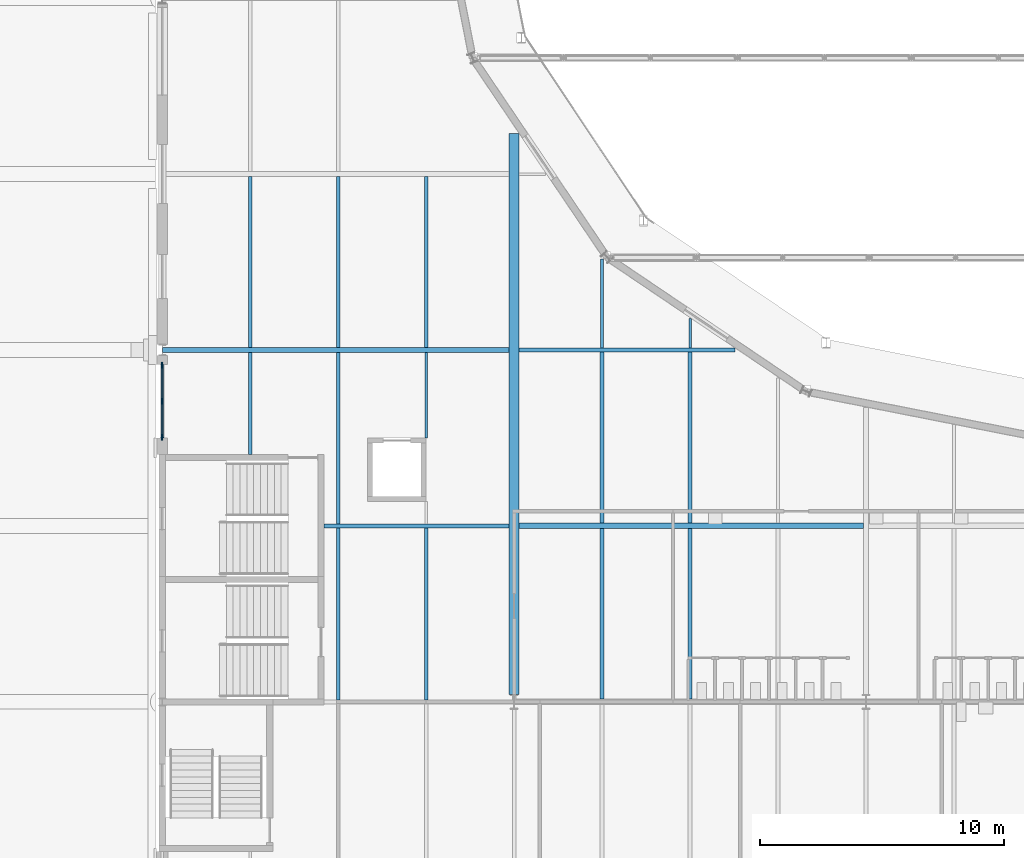
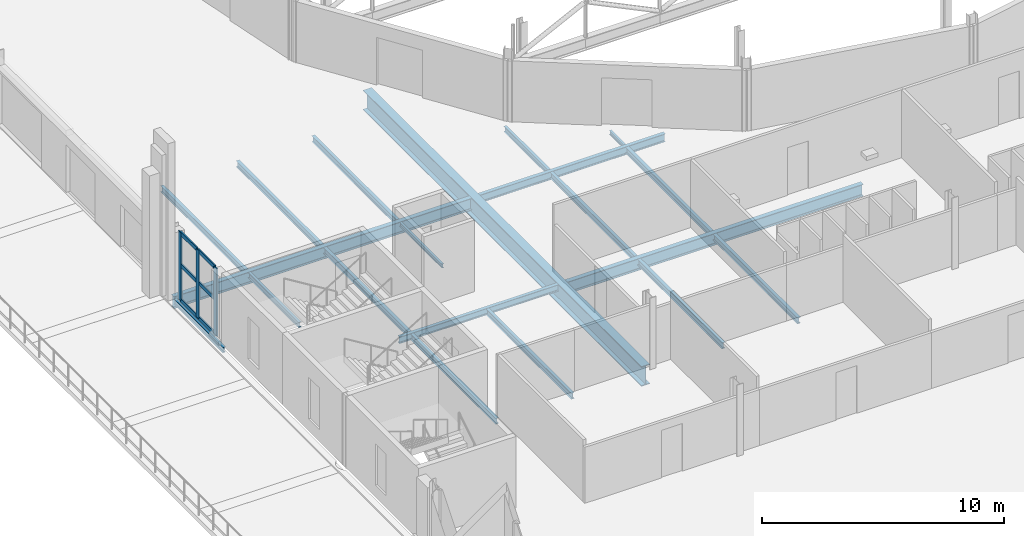
# One storey, part 33 of 143: 20 beams, 9 members, 1 element without a shape of its own.
"""IFC4 building model written with IfcOpenShell, lengths in metres."""

from ifc_helpers import new_model, si_unit, direction, frame, origin, origin_2d, place, context, subcontext, project, spatial, rectangle, i_section, extrude, material, material_profile, profile_set, type_object, element, aggregate, save


model = new_model("IFC4")

# Units and contexts
model_context = context("Model", 3, precision=1e-05, world=origin(), true_north=direction((0.0, 1.0)))
body_context = subcontext(model_context, "Body", "Model", "MODEL_VIEW")
ifc_project = project(units=[si_unit("LENGTHUNIT", "METRE"), si_unit("AREAUNIT", "SQUARE_METRE"), si_unit("VOLUMEUNIT", "CUBIC_METRE"), si_unit("PLANEANGLEUNIT", "RADIAN"), si_unit("MASSUNIT", "GRAM", prefix="KILO")], contexts=[model_context])

# Site, building, storey
site_placement = place(None, origin())
site = spatial("IfcSite", under=ifc_project, at=site_placement, CompositionType="ELEMENT")
building_placement = place(site_placement, origin())
building = spatial("IfcBuilding", under=site, at=building_placement, Name="Kupolbacken Congress Centre", CompositionType="ELEMENT")
storey_placement = place(building_placement, frame((0.0, 0.0, 7.199951171875)))
storey = spatial("IfcBuildingStorey", under=building, at=storey_placement, Name="L02", CompositionType="ELEMENT", Elevation=7.199951171875)

# Beams
ifc_material_1 = material(Name="Steel S355", Category="steel")
ifc_material_profile_1 = material_profile(ifc_material_1, i_section(OverallWidth=0.10009765625, OverallDepth=0.199951171875, WebThickness=0.005615234375, FlangeThickness=0.008544921875, FilletRadius=0.011962890625, at=origin_2d()), Name="IPE 200")
ifc_profile_set_1 = profile_set([ifc_material_profile_1], Name="Steel S355")
beam_type_1 = type_object("IfcBeamType", Name="B01 beam IPE 200", PredefinedType="BEAM", material=ifc_profile_set_1)
beam_1_placement = place(storey_placement, frame((28.800048828125, 64.889892578125, -0.280029296875), z_axis=(0.0, 1.0, 0.0), x_axis=(-1.0, 0.0, 0.0)))
element("IfcBeam", 1, at=beam_1_placement, inside=storey, type_object=beam_type_1, Name="S/floor/P/L02/S104", PredefinedType="BEAM", context=body_context, shape_type="SweptSolid", body=[
    extrude(i_section(OverallWidth=0.10009765625, OverallDepth=0.199951171875, WebThickness=0.005615234375, FlangeThickness=0.008544921875, FilletRadius=0.011962890625, at=origin_2d()), origin(), (0.0, 0.0, 1.0), 1.200927734375),
])
beam_2_placement = place(storey_placement, frame((18.0, 61.199951171875, -0.280029296875), z_axis=(0.0, 1.0, 0.0), x_axis=(-1.0, 0.0, 0.0)))
element("IfcBeam", 2, at=beam_2_placement, inside=storey, type_object=beam_type_1, Name="S/floor/P/L02/S163", PredefinedType="BEAM", context=body_context, shape_type="SweptSolid", body=[
    extrude(i_section(OverallWidth=0.10009765625, OverallDepth=0.199951171875, WebThickness=0.005615234375, FlangeThickness=0.008544921875, FilletRadius=0.011962890625, at=origin_2d()), origin(), (0.0, 0.0, 1.0), 3.489990234375),
])
ifc_material_2 = material(Name="Steel S355", Category="steel")
ifc_material_profile_2 = material_profile(ifc_material_2, i_section(OverallWidth=0.135009765625, OverallDepth=0.27001953125, WebThickness=0.006591796875, FlangeThickness=0.01025390625, FilletRadius=0.014892578125, at=origin_2d()), Name="IPE 270")
ifc_profile_set_2 = profile_set([ifc_material_profile_2], Name="Steel S355")
beam_type_2 = type_object("IfcBeamType", Name="B03 beam IPE 270", PredefinedType="BEAM", material=ifc_profile_set_2)
beam_3_placement = place(storey_placement, frame((7.199951171875, 60.52490234375, -0.31494140625), z_axis=(0.0, 1.0, 0.0), x_axis=(-1.0, 0.0, 0.0)))
element("IfcBeam", 3, at=beam_3_placement, inside=storey, type_object=beam_type_2, Name="S/floor/P/L02/G017", PredefinedType="BEAM", context=body_context, shape_type="SweptSolid", body=[
    extrude(i_section(OverallWidth=0.135009765625, OverallDepth=0.27001953125, WebThickness=0.006591796875, FlangeThickness=0.01025390625, FilletRadius=0.014892578125, at=origin_2d()), origin(), (0.0, 0.0, 1.0), 4.050048828125),
])
beam_4_placement = place(storey_placement, frame((10.800048828125, 60.52490234375, -0.31494140625), z_axis=(0.0, 1.0, 0.0), x_axis=(-1.0, 0.0, 0.0)))
element("IfcBeam", 4, at=beam_4_placement, inside=storey, type_object=beam_type_2, Name="S/floor/P/L02/S076", PredefinedType="BEAM", context=body_context, shape_type="SweptSolid", body=[
    extrude(i_section(OverallWidth=0.135009765625, OverallDepth=0.27001953125, WebThickness=0.006591796875, FlangeThickness=0.01025390625, FilletRadius=0.014892578125, at=origin_2d()), origin(), (0.0, 0.0, 1.0), 4.1650390625),
])
beam_5_placement = place(storey_placement, frame((25.199951171875, 64.889892578125, -0.31494140625), z_axis=(0.0, 1.0, 0.0), x_axis=(-1.0, 0.0, 0.0)))
element("IfcBeam", 5, at=beam_5_placement, inside=storey, type_object=beam_type_2, Name="S/floor/P/L02/S098", PredefinedType="BEAM", context=body_context, shape_type="SweptSolid", body=[
    extrude(i_section(OverallWidth=0.135009765625, OverallDepth=0.27001953125, WebThickness=0.006591796875, FlangeThickness=0.01025390625, FilletRadius=0.014892578125, at=origin_2d()), origin(), (0.0, 0.0, 1.0), 3.63818359375),
])
ifc_material_3 = material(Name="Steel S355", Category="steel")
ifc_material_profile_3 = material_profile(ifc_material_3, i_section(OverallWidth=0.14990234375, OverallDepth=0.300048828125, WebThickness=0.007080078125, FlangeThickness=0.0107421875, FilletRadius=0.014892578125, at=origin_2d()), Name="IPE 300")
ifc_profile_set_3 = profile_set([ifc_material_profile_3], Name="Steel S355")
beam_type_3 = type_object("IfcBeamType", Name="B04 beam IPE 300", PredefinedType="BEAM", material=ifc_profile_set_3)
beam_6_placement = place(storey_placement, frame((10.800048828125, 64.909912109375, -0.329833984375), z_axis=(0.0, 1.0, 0.0), x_axis=(-1.0, 0.0, 0.0)))
element("IfcBeam", 6, at=beam_6_placement, inside=storey, type_object=beam_type_3, Name="S/floor/P/L02/S077", PredefinedType="BEAM", context=body_context, shape_type="SweptSolid", body=[
    extrude(i_section(OverallWidth=0.14990234375, OverallDepth=0.300048828125, WebThickness=0.007080078125, FlangeThickness=0.0107421875, FilletRadius=0.014892578125, at=origin_2d()), origin(), (0.0, 0.0, 1.0), 6.97998046875),
])
beam_7_placement = place(storey_placement, frame((14.39990234375, 50.48095703125, -0.329833984375), z_axis=(0.0, 1.0, 0.0), x_axis=(-1.0, 0.0, 0.0)))
element("IfcBeam", 7, at=beam_7_placement, inside=storey, type_object=beam_type_3, Name="S/floor/P/L02/S085", PredefinedType="BEAM", context=body_context, shape_type="SweptSolid", body=[
    extrude(i_section(OverallWidth=0.14990234375, OverallDepth=0.300048828125, WebThickness=0.007080078125, FlangeThickness=0.0107421875, FilletRadius=0.014892578125, at=origin_2d()), origin(), (0.0, 0.0, 1.0), 7.0390625),
])
beam_8_placement = place(storey_placement, frame((14.39990234375, 57.679931640625, -0.329833984375), z_axis=(0.0, 1.0, 0.0), x_axis=(-1.0, 0.0, 0.0)))
element("IfcBeam", 8, at=beam_8_placement, inside=storey, type_object=beam_type_3, Name="S/floor/P/L02/S086", PredefinedType="BEAM", context=body_context, shape_type="SweptSolid", body=[
    extrude(i_section(OverallWidth=0.14990234375, OverallDepth=0.300048828125, WebThickness=0.007080078125, FlangeThickness=0.0107421875, FilletRadius=0.014892578125, at=origin_2d()), origin(), (0.0, 0.0, 1.0), 7.010009765625),
])
for number, where, z_axis, x_axis, name in (
    (9, (14.39990234375, 64.909912109375, -0.329833984375), (0.0, 1.0, 0.0), (-1.0, 0.0, 0.0), "S/floor/P/L02/S087"),
    (10, (25.199951171875, 50.510009765625, -0.329833984375), (0.0, 1.0, 0.0), (-1.0, 0.0, 0.0), "S/floor/P/L02/S096"),
):
    element("IfcBeam", number, at=place(storey_placement, frame(where, z_axis=z_axis, x_axis=x_axis)), inside=storey, type_object=beam_type_3, Name=name, PredefinedType="BEAM", context=body_context, shape_type="SweptSolid", body=[
        extrude(i_section(OverallWidth=0.14990234375, OverallDepth=0.300048828125, WebThickness=0.007080078125, FlangeThickness=0.0107421875, FilletRadius=0.014892578125, at=origin_2d()), origin(), (0.0, 0.0, 1.0), 6.97998046875),
    ])
beam_9_placement = place(storey_placement, frame((25.199951171875, 57.7099609375, -0.329833984375), z_axis=(0.0, 1.0, 0.0), x_axis=(-1.0, 0.0, 0.0)))
element("IfcBeam", 11, at=beam_9_placement, inside=storey, type_object=beam_type_3, Name="S/floor/P/L02/S097", PredefinedType="BEAM", context=body_context, shape_type="SweptSolid", body=[
    extrude(i_section(OverallWidth=0.14990234375, OverallDepth=0.300048828125, WebThickness=0.007080078125, FlangeThickness=0.0107421875, FilletRadius=0.014892578125, at=origin_2d()), origin(), (0.0, 0.0, 1.0), 7.0),
])
beam_10_placement = place(storey_placement, frame((28.800048828125, 50.510009765625, -0.329833984375), z_axis=(0.0, 1.0, 0.0), x_axis=(-1.0, 0.0, 0.0)))
element("IfcBeam", 12, at=beam_10_placement, inside=storey, type_object=beam_type_3, Name="S/floor/P/L02/S102", PredefinedType="BEAM", context=body_context, shape_type="SweptSolid", body=[
    extrude(i_section(OverallWidth=0.14990234375, OverallDepth=0.300048828125, WebThickness=0.007080078125, FlangeThickness=0.0107421875, FilletRadius=0.014892578125, at=origin_2d()), origin(), (0.0, 0.0, 1.0), 6.97998046875),
])
beam_11_placement = place(storey_placement, frame((28.800048828125, 57.7099609375, -0.329833984375), z_axis=(0.0, 1.0, 0.0), x_axis=(-1.0, 0.0, 0.0)))
element("IfcBeam", 13, at=beam_11_placement, inside=storey, type_object=beam_type_3, Name="S/floor/P/L02/S103", PredefinedType="BEAM", context=body_context, shape_type="SweptSolid", body=[
    extrude(i_section(OverallWidth=0.14990234375, OverallDepth=0.300048828125, WebThickness=0.007080078125, FlangeThickness=0.0107421875, FilletRadius=0.014892578125, at=origin_2d()), origin(), (0.0, 0.0, 1.0), 7.0),
])
beam_12_placement = place(storey_placement, frame((18.0, 50.48095703125, -0.329833984375), z_axis=(0.0, 1.0, 0.0), x_axis=(-1.0, 0.0, 0.0)))
element("IfcBeam", 14, at=beam_12_placement, inside=storey, type_object=beam_type_3, Name="S/floor/P/L02/S161", PredefinedType="BEAM", context=body_context, shape_type="SweptSolid", body=[
    extrude(i_section(OverallWidth=0.14990234375, OverallDepth=0.300048828125, WebThickness=0.007080078125, FlangeThickness=0.0107421875, FilletRadius=0.014892578125, at=origin_2d()), origin(), (0.0, 0.0, 1.0), 7.0390625),
])
beam_13_placement = place(storey_placement, frame((18.0, 64.909912109375, -0.329833984375), z_axis=(0.0, 1.0, 0.0), x_axis=(-1.0, 0.0, 0.0)))
element("IfcBeam", 15, at=beam_13_placement, inside=storey, type_object=beam_type_3, Name="S/floor/P/L02/S164", PredefinedType="BEAM", context=body_context, shape_type="SweptSolid", body=[
    extrude(i_section(OverallWidth=0.14990234375, OverallDepth=0.300048828125, WebThickness=0.007080078125, FlangeThickness=0.0107421875, FilletRadius=0.014892578125, at=origin_2d()), origin(), (0.0, 0.0, 1.0), 6.97998046875),
])
ifc_material_4 = material(Name="Steel S355", Category="steel")
ifc_material_profile_4 = material_profile(ifc_material_4, i_section(OverallWidth=0.159912109375, OverallDepth=0.330078125, WebThickness=0.007568359375, FlangeThickness=0.011474609375, FilletRadius=0.01806640625, at=origin_2d()), Name="IPE 330")
ifc_profile_set_4 = profile_set([ifc_material_profile_4], Name="Steel S355")
beam_type_4 = type_object("IfcBeamType", Name="B05 beam IPE 330", PredefinedType="BEAM", material=ifc_profile_set_4)
beam_14_placement = place(storey_placement, frame((13.824951171875, 57.60009765625, -0.344970703125), z_axis=(1.0, 0.0, 0.0), x_axis=(0.0, 1.0, 0.0)))
element("IfcBeam", 16, at=beam_14_placement, inside=storey, type_object=beam_type_4, Name="S/floor/P/L02/R038", PredefinedType="BEAM", context=body_context, shape_type="SweptSolid", body=[
    extrude(i_section(OverallWidth=0.159912109375, OverallDepth=0.330078125, WebThickness=0.007568359375, FlangeThickness=0.011474609375, FilletRadius=0.01806640625, at=origin_2d()), origin(), (0.0, 0.0, 1.0), 7.574951171875),
])
ifc_material_5 = material(Name="Steel S355", Category="steel")
ifc_material_profile_5 = material_profile(ifc_material_5, i_section(OverallWidth=0.179931640625, OverallDepth=0.39990234375, WebThickness=0.008544921875, FlangeThickness=0.013427734375, FilletRadius=0.02099609375, at=origin_2d()), Name="IPE 400")
ifc_profile_set_5 = profile_set([ifc_material_profile_5], Name="Steel S355")
beam_type_5 = type_object("IfcBeamType", Name="B07 beam IPE 400", PredefinedType="BEAM", material=ifc_profile_set_5)
beam_15_placement = place(storey_placement, frame((21.800048828125, 64.800048828125, -0.3798828125), z_axis=(1.0, 0.0, 0.0), x_axis=(0.0, 1.0, 0.0)))
element("IfcBeam", 17, at=beam_15_placement, inside=storey, type_object=beam_type_5, Name="S/floor/P/L02/R044", PredefinedType="BEAM", context=body_context, shape_type="SweptSolid", body=[
    extrude(i_section(OverallWidth=0.179931640625, OverallDepth=0.39990234375, WebThickness=0.008544921875, FlangeThickness=0.013427734375, FilletRadius=0.02099609375, at=origin_2d()), origin(), (0.0, 0.0, 1.0), 8.829345703125),
])
ifc_material_6 = material(Name="Steel S355", Category="steel")
ifc_material_profile_6 = material_profile(ifc_material_6, i_section(OverallWidth=0.219970703125, OverallDepth=0.60009765625, WebThickness=0.011962890625, FlangeThickness=0.01904296875, FilletRadius=0.02392578125, at=origin_2d()), Name="IPE 600")
ifc_profile_set_6 = profile_set([ifc_material_profile_6], Name="Steel S355")
beam_type_6 = type_object("IfcBeamType", Name="B11 beam IPE 600", PredefinedType="BEAM", material=ifc_profile_set_6)
beam_16_placement = place(storey_placement, frame((21.800048828125, 57.60009765625, -0.47998046875), z_axis=(1.0, 0.0, 0.0), x_axis=(0.0, 1.0, 0.0)))
element("IfcBeam", 18, at=beam_16_placement, inside=storey, type_object=beam_type_6, Name="S/floor/P/L02/R039", PredefinedType="BEAM", context=body_context, shape_type="SweptSolid", body=[
    extrude(i_section(OverallWidth=0.219970703125, OverallDepth=0.60009765625, WebThickness=0.011962890625, FlangeThickness=0.01904296875, FilletRadius=0.02392578125, at=origin_2d()), origin(), (0.0, 0.0, 1.0), 14.094970703125),
])
beam_17_placement = place(storey_placement, frame((7.20703125, 64.800048828125, -0.47998046875), z_axis=(1.0, 0.0, 0.0), x_axis=(0.0, 1.0, 0.0)))
element("IfcBeam", 19, at=beam_17_placement, inside=storey, type_object=beam_type_6, Name="S/floor/P/L02/R043", PredefinedType="BEAM", context=body_context, shape_type="SweptSolid", body=[
    extrude(i_section(OverallWidth=0.219970703125, OverallDepth=0.60009765625, WebThickness=0.011962890625, FlangeThickness=0.01904296875, FilletRadius=0.02392578125, at=origin_2d()), origin(), (0.0, 0.0, 1.0), 14.19287109375),
])
ifc_material_7 = material(Name="Steel S355", Category="steel")
ifc_material_profile_7 = material_profile(ifc_material_7, i_section(OverallWidth=0.39990234375, OverallDepth=1.0, WebThickness=0.02197265625, FlangeThickness=0.044921875, at=origin_2d()), Name="PG 1000 x 400")
ifc_profile_set_7 = profile_set([ifc_material_profile_7], Name="Steel S355")
beam_type_7 = type_object("IfcBeamType", Name="B23 beam PG 1000 x 400", PredefinedType="BEAM", material=ifc_profile_set_7)
beam_18_placement = place(storey_placement, frame((21.60009765625, 50.699951171875, -0.679931640625), z_axis=(0.0, 1.0, 0.0), x_axis=(-1.0, 0.0, 0.0)))
element("IfcBeam", 20, at=beam_18_placement, inside=storey, type_object=beam_type_7, Name="S/floor/P/L02/G022", PredefinedType="BEAM", context=body_context, shape_type="SweptSolid", body=[
    extrude(i_section(OverallWidth=0.39990234375, OverallDepth=1.0, WebThickness=0.02197265625, FlangeThickness=0.044921875, at=origin_2d()), origin(), (0.0, 0.0, 1.0), 22.966552734375),
])

# Curtain wall, members
ifc_material_8 = material(Name="Aluminium mullion-transom frame with glass", Category="aluminium")
curtain_wall_type = type_object("IfcCurtainWallType", Name="CW2 curtain wall 3600x3600", PredefinedType="NOTDEFINED", material=ifc_material_8)
curtain_wall_placement = place(storey_placement, origin())
curtain_wall = element("IfcCurtainWall", 21, at=curtain_wall_placement, inside=storey, type_object=curtain_wall_type, Name="E/P/W/L02/293", PredefinedType="NOTDEFINED")
ifc_material_9 = material(Name="Aluminium alloy", Category="aluminium")
ifc_material_profile_8 = material_profile(ifc_material_9, rectangle(XDim=0.06005859375, YDim=0.25, at=origin_2d()), Name="60 x 250")
ifc_profile_set_8 = profile_set([ifc_material_profile_8], Name="Aluminium alloy")
member_type_1 = type_object("IfcMemberType", Name="MU3 mullion 60x250", PredefinedType="MULLION", material=ifc_profile_set_8)
member_1_placement = place(storey_placement, frame((7.199951171875, 64.169921875, 0.0), z_axis=(0.0, 0.0, 1.0), x_axis=(1.0, 0.0, 0.0)))
member_1 = element("IfcMember", 22, at=member_1_placement, type_object=member_type_1, Name="CW2 mullion 1", PredefinedType="MULLION", context=body_context, shape_type="SweptSolid", body=[
    extrude(rectangle(XDim=0.06005859375, YDim=0.25, at=origin_2d()), origin(), (0.0, 0.0, 1.0), 3.420166015625),
])
member_2_placement = place(storey_placement, frame((7.199951171875, 62.699951171875, 0.0), z_axis=(0.0, 0.0, 1.0), x_axis=(1.0, 0.0, 0.0)))
member_2 = element("IfcMember", 23, at=member_2_placement, type_object=member_type_1, Name="CW2 mullion 2", PredefinedType="MULLION", context=body_context, shape_type="SweptSolid", body=[
    extrude(rectangle(XDim=0.06005859375, YDim=0.25, at=origin_2d()), origin(), (0.0, 0.0, 1.0), 3.420166015625),
])
member_3_placement = place(storey_placement, frame((7.199951171875, 61.22998046875, 0.0), z_axis=(0.0, 0.0, 1.0), x_axis=(1.0, 0.0, 0.0)))
member_3 = element("IfcMember", 24, at=member_3_placement, type_object=member_type_1, Name="CW2 mullion 3", PredefinedType="MULLION", context=body_context, shape_type="SweptSolid", body=[
    extrude(rectangle(XDim=0.06005859375, YDim=0.25, at=origin_2d()), origin(), (0.0, 0.0, 1.0), 3.420166015625),
])
ifc_material_10 = material(Name="Aluminium alloy", Category="aluminium")
ifc_material_profile_9 = material_profile(ifc_material_10, rectangle(XDim=0.06005859375, YDim=0.199951171875, at=origin_2d()), Name="60 x 200")
ifc_profile_set_9 = profile_set([ifc_material_profile_9], Name="Aluminium alloy")
member_type_2 = type_object("IfcMemberType", Name="TR3 transom 60x200", PredefinedType="MULLION", material=ifc_profile_set_9)
member_4_placement = place(storey_placement, frame((7.199951171875, 64.139892578125, 0.030029296875), z_axis=(0.0, -1.0, 0.0), x_axis=(1.0, 0.0, 0.0)))
member_4 = element("IfcMember", 25, at=member_4_placement, type_object=member_type_2, Name="CW2 transom 1.1", PredefinedType="MULLION", context=body_context, shape_type="SweptSolid", body=[
    extrude(rectangle(XDim=0.06005859375, YDim=0.199951171875, at=origin_2d()), origin(), (0.0, 0.0, 1.0), 1.409912109375),
])
member_5_placement = place(storey_placement, frame((7.199951171875, 64.139892578125, 1.800048828125), z_axis=(0.0, -1.0, 0.0), x_axis=(1.0, 0.0, 0.0)))
member_5 = element("IfcMember", 26, at=member_5_placement, type_object=member_type_2, Name="CW2 transom 1.2", PredefinedType="MULLION", context=body_context, shape_type="SweptSolid", body=[
    extrude(rectangle(XDim=0.06005859375, YDim=0.199951171875, at=origin_2d()), origin(), (0.0, 0.0, 1.0), 1.409912109375),
])
member_6_placement = place(storey_placement, frame((7.199951171875, 64.139892578125, 3.39013671875), z_axis=(0.0, -1.0, 0.0), x_axis=(1.0, 0.0, 0.0)))
member_6 = element("IfcMember", 27, at=member_6_placement, type_object=member_type_2, Name="CW2 transom 1.3", PredefinedType="MULLION", context=body_context, shape_type="SweptSolid", body=[
    extrude(rectangle(XDim=0.06005859375, YDim=0.199951171875, at=origin_2d()), origin(), (0.0, 0.0, 1.0), 1.409912109375),
])
member_7_placement = place(storey_placement, frame((7.199951171875, 62.669921875, 0.030029296875), z_axis=(0.0, -1.0, 0.0), x_axis=(1.0, 0.0, 0.0)))
member_7 = element("IfcMember", 28, at=member_7_placement, type_object=member_type_2, Name="CW2 transom 2.1", PredefinedType="MULLION", context=body_context, shape_type="SweptSolid", body=[
    extrude(rectangle(XDim=0.06005859375, YDim=0.199951171875, at=origin_2d()), origin(), (0.0, 0.0, 1.0), 1.409912109375),
])
member_8_placement = place(storey_placement, frame((7.199951171875, 62.669921875, 1.800048828125), z_axis=(0.0, -1.0, 0.0), x_axis=(1.0, 0.0, 0.0)))
member_8 = element("IfcMember", 29, at=member_8_placement, type_object=member_type_2, Name="CW2 transom 2.2", PredefinedType="MULLION", context=body_context, shape_type="SweptSolid", body=[
    extrude(rectangle(XDim=0.06005859375, YDim=0.199951171875, at=origin_2d()), origin(), (0.0, 0.0, 1.0), 1.409912109375),
])
member_9_placement = place(storey_placement, frame((7.199951171875, 62.669921875, 3.39013671875), z_axis=(0.0, -1.0, 0.0), x_axis=(1.0, 0.0, 0.0)))
member_9 = element("IfcMember", 30, at=member_9_placement, type_object=member_type_2, Name="CW2 transom 2.3", PredefinedType="MULLION", context=body_context, shape_type="SweptSolid", body=[
    extrude(rectangle(XDim=0.06005859375, YDim=0.199951171875, at=origin_2d()), origin(), (0.0, 0.0, 1.0), 1.409912109375),
])
aggregate(curtain_wall, [member_1, member_2, member_3, member_4, member_5, member_6, member_7, member_8, member_9])

save(model, "model.ifc")
